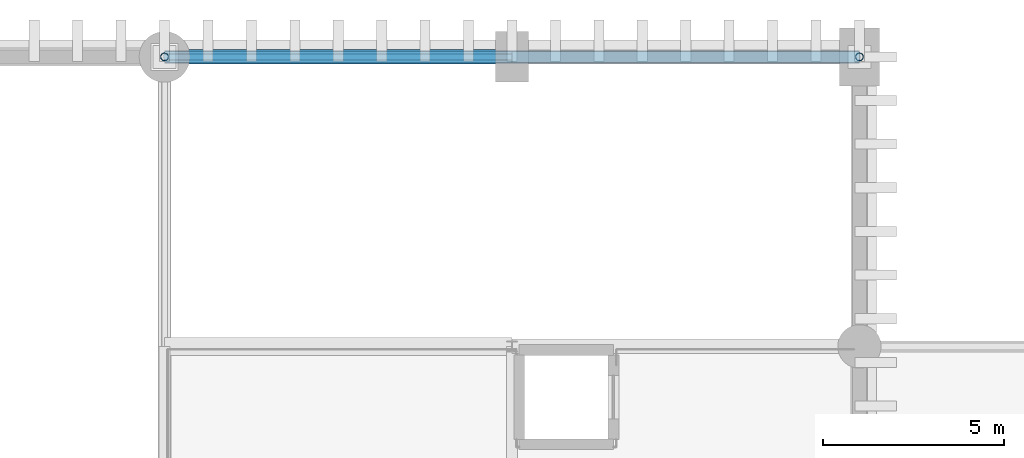
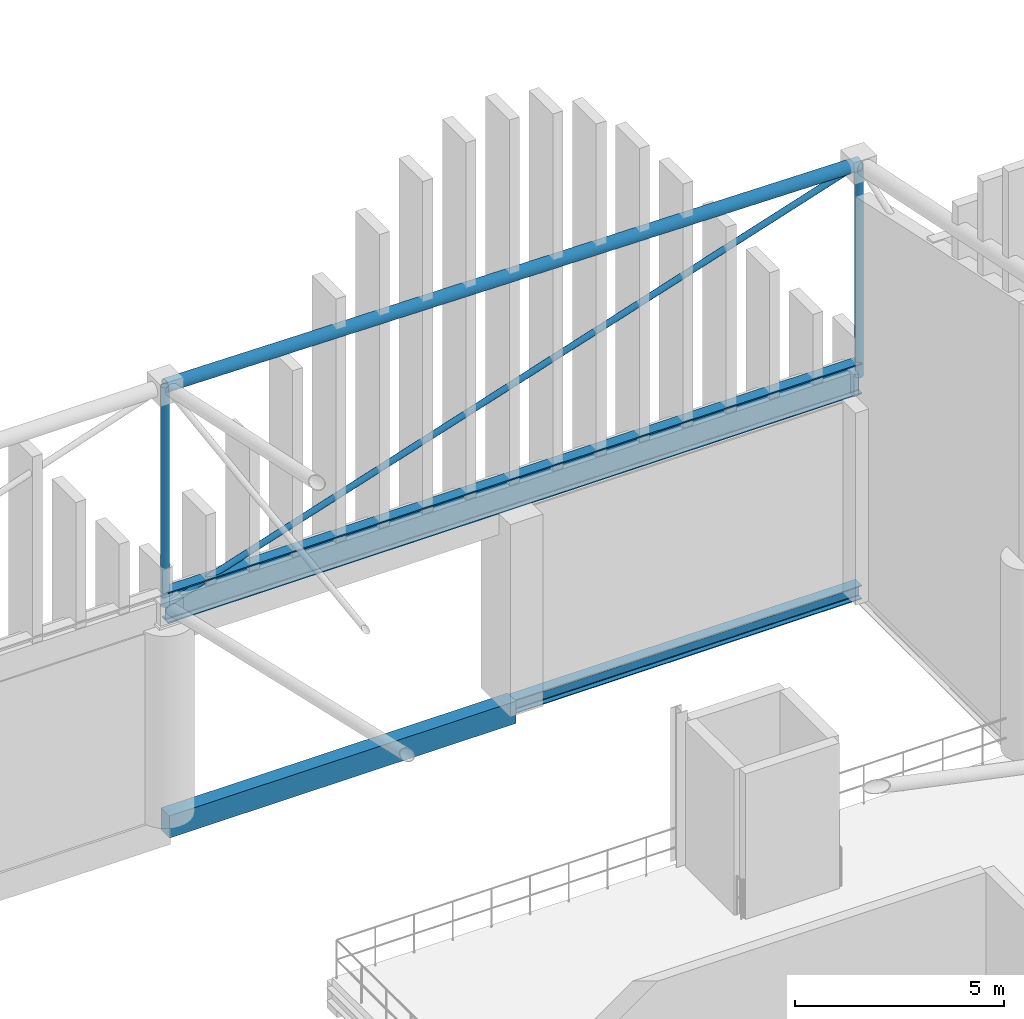
# One storey, part 136 of 193: 4 members, 3 beams.
"""IFC4 building model written with IfcOpenShell, lengths in metres."""

from ifc_helpers import new_model, si_unit, direction, frame, origin, origin_2d, place, context, subcontext, project, spatial, rectangle, hollow_circle, i_section, extrude, material, material_profile, profile_set, type_object, element, save


model = new_model("IFC4")

# Units and contexts
model_context = context("Model", 3, precision=1e-05, world=origin(), true_north=direction((0.0, 1.0)))
body_context = subcontext(model_context, "Body", "Model", "MODEL_VIEW")
ifc_project = project(units=[si_unit("LENGTHUNIT", "METRE"), si_unit("AREAUNIT", "SQUARE_METRE"), si_unit("VOLUMEUNIT", "CUBIC_METRE"), si_unit("PLANEANGLEUNIT", "RADIAN"), si_unit("MASSUNIT", "GRAM", prefix="KILO")], contexts=[model_context])

# Site, building, storey
site_placement = place(None, origin())
site = spatial("IfcSite", under=ifc_project, at=site_placement, CompositionType="ELEMENT")
building_placement = place(site_placement, origin())
building = spatial("IfcBuilding", under=site, at=building_placement, Name="Danafjord Basin Convention Centre", CompositionType="ELEMENT")
storey_placement = place(building_placement, frame((0.0, 0.0, 11.39990234375)))
storey = spatial("IfcBuildingStorey", under=building, at=storey_placement, Name="L02", CompositionType="ELEMENT", Elevation=11.39990234375)

# Beams
ifc_material_1 = material(Name="Steel S355", Category="steel")
ifc_material_profile_1 = material_profile(ifc_material_1, i_section(OverallWidth=0.300048828125, OverallDepth=0.89990234375, WebThickness=0.0185546875, FlangeThickness=0.034912109375, FilletRadius=0.030029296875, at=origin_2d()), Name="HEB 900")
ifc_profile_set_1 = profile_set([ifc_material_profile_1], Name="Steel S355")
beam_type_1 = type_object("IfcBeamType", Name="BEAM-BM-HEB900", PredefinedType="BEAM", material=ifc_profile_set_1)
beam_1_placement = place(storey_placement, frame((96.0, 144.0, 6.050048828125), z_axis=(1.0, 0.0, 0.0), x_axis=(0.0, 1.0, 0.0)))
element("IfcBeam", 1, at=beam_1_placement, inside=storey, type_object=beam_type_1, Name="V1 space-frame perimeter ring girder", PredefinedType="BEAM", context=body_context, shape_type="SweptSolid", body=[
    extrude(i_section(OverallWidth=0.300048828125, OverallDepth=0.89990234375, WebThickness=0.0185546875, FlangeThickness=0.034912109375, FilletRadius=0.030029296875, at=origin_2d()), origin(), (0.0, 0.0, 1.0), 19.199951171875),
])
ifc_material_profile_2 = material_profile(ifc_material_1, i_section(OverallWidth=0.300048828125, OverallDepth=0.39990234375, WebThickness=0.013427734375, FlangeThickness=0.02392578125, FilletRadius=0.027099609375, at=origin_2d()), Name="HEB 400")
ifc_profile_set_2 = profile_set([ifc_material_profile_2], Name="Steel S355")
beam_type_2 = type_object("IfcBeamType", Name="BEAM-SP-HEB400", PredefinedType="SPANDREL", material=ifc_profile_set_2)
beam_2_placement = place(storey_placement, frame((105.60009765625, 144.0, -0.199951171875), z_axis=(1.0, 0.0, 0.0), x_axis=(0.0, 1.0, 0.0)))
element("IfcBeam", 2, at=beam_2_placement, inside=storey, type_object=beam_type_2, Name="L02 girder SP-HEB400", PredefinedType="SPANDREL", context=body_context, shape_type="SweptSolid", body=[
    extrude(i_section(OverallWidth=0.300048828125, OverallDepth=0.39990234375, WebThickness=0.013427734375, FlangeThickness=0.02392578125, FilletRadius=0.027099609375, at=origin_2d()), origin(), (0.0, 0.0, 1.0), 9.599853515625),
])
ifc_material_2 = material(Name="Precast concrete C45/55", Category="concrete")
ifc_material_profile_3 = material_profile(ifc_material_2, rectangle(XDim=0.39990234375, YDim=0.64990234375, at=origin_2d()), Name="PCB 400x650")
ifc_profile_set_3 = profile_set([ifc_material_profile_3], Name="Precast concrete C45/55")
beam_type_3 = type_object("IfcBeamType", Name="BEAM-SP-PCB650", PredefinedType="SPANDREL", material=ifc_profile_set_3)
beam_3_placement = place(storey_placement, frame((96.0, 144.0, -0.324951171875), z_axis=(1.0, 0.0, 0.0), x_axis=(0.0, 1.0, 0.0)))
element("IfcBeam", 3, at=beam_3_placement, inside=storey, type_object=beam_type_3, Name="L02 girder SP-PCB650", PredefinedType="SPANDREL", context=body_context, shape_type="SweptSolid", body=[
    extrude(rectangle(XDim=0.39990234375, YDim=0.64990234375, at=origin_2d()), origin(), (0.0, 0.0, 1.0), 9.60009765625),
])

# Members
ifc_material_profile_4 = material_profile(ifc_material_1, hollow_circle(Radius=0.177734375, WallThickness=0.01611328125, at=origin_2d()), Name="CHS 355.6x16.0")
ifc_profile_set_4 = profile_set([ifc_material_profile_4], Name="Steel S355")
member_type_1 = type_object("IfcMemberType", Name="MEM-CH-CHS355", PredefinedType="CHORD", material=ifc_profile_set_4)
member_1_placement = place(storey_placement, frame((96.0, 144.0, 12.47509765625), z_axis=(0.999931282566, 0.0, -0.011723060444), x_axis=(0.0, 1.0, 0.0)))
element("IfcMember", 4, at=member_1_placement, inside=storey, type_object=member_type_1, Name="V1 roof truss longitudinal top chord", PredefinedType="CHORD", context=body_context, shape_type="SweptSolid", body=[
    extrude(hollow_circle(Radius=0.177734375, WallThickness=0.01611328125, at=origin_2d()), origin(), (0.0, 0.0, 1.0), 19.201171875),
])
ifc_material_profile_5 = material_profile(ifc_material_1, hollow_circle(Radius=0.109619140625, WallThickness=0.010009765625, at=origin_2d()), Name="CHS 219.1x10.0")
ifc_profile_set_5 = profile_set([ifc_material_profile_5], Name="Steel S355")
member_type_2 = type_object("IfcMemberType", Name="MEM-ST-CHS219", PredefinedType="STRUT", material=ifc_profile_set_5)
member_2_placement = place(storey_placement, frame((96.0, 144.0, 6.050048828125), z_axis=(0.0, 0.0, 1.0), x_axis=(1.0, 0.0, 0.0)))
element("IfcMember", 5, at=member_2_placement, inside=storey, type_object=member_type_2, Name="V1 roof truss vertical strut", PredefinedType="STRUT", context=body_context, shape_type="SweptSolid", body=[
    extrude(hollow_circle(Radius=0.109619140625, WallThickness=0.010009765625, at=origin_2d()), origin(), (0.0, 0.0, 1.0), 6.425048828125),
])
member_3_placement = place(storey_placement, frame((115.199951171875, 144.0, 6.050048828125), z_axis=(0.0, 0.0, 1.0), x_axis=(1.0, 0.0, 0.0)))
element("IfcMember", 6, at=member_3_placement, inside=storey, type_object=member_type_2, Name="V1 roof truss vertical strut", PredefinedType="STRUT", context=body_context, shape_type="SweptSolid", body=[
    extrude(hollow_circle(Radius=0.109619140625, WallThickness=0.010009765625, at=origin_2d()), origin(), (0.0, 0.0, 1.0), 6.199951171875),
])
ifc_material_profile_6 = material_profile(ifc_material_1, hollow_circle(Radius=0.084228515625, WallThickness=0.008056640625, at=origin_2d()), Name="CHS 168.3x8.0")
ifc_profile_set_6 = profile_set([ifc_material_profile_6], Name="Steel S355")
member_type_3 = type_object("IfcMemberType", Name="MEM-WB-CHS168", PredefinedType="MEMBER", material=ifc_profile_set_6)
member_4_placement = place(storey_placement, frame((96.0, 144.0, 6.050048828125), z_axis=(0.951615625356, 0.0, 0.307290907086), x_axis=(0.0, 1.0, 0.0)))
element("IfcMember", 7, at=member_4_placement, inside=storey, type_object=member_type_3, Name="V1 space-frame longitudinal web", PredefinedType="MEMBER", context=body_context, shape_type="SweptSolid", body=[
    extrude(hollow_circle(Radius=0.084228515625, WallThickness=0.008056640625, at=origin_2d()), origin(), (0.0, 0.0, 1.0), 20.17626953125),
])

save(model, "model.ifc")
